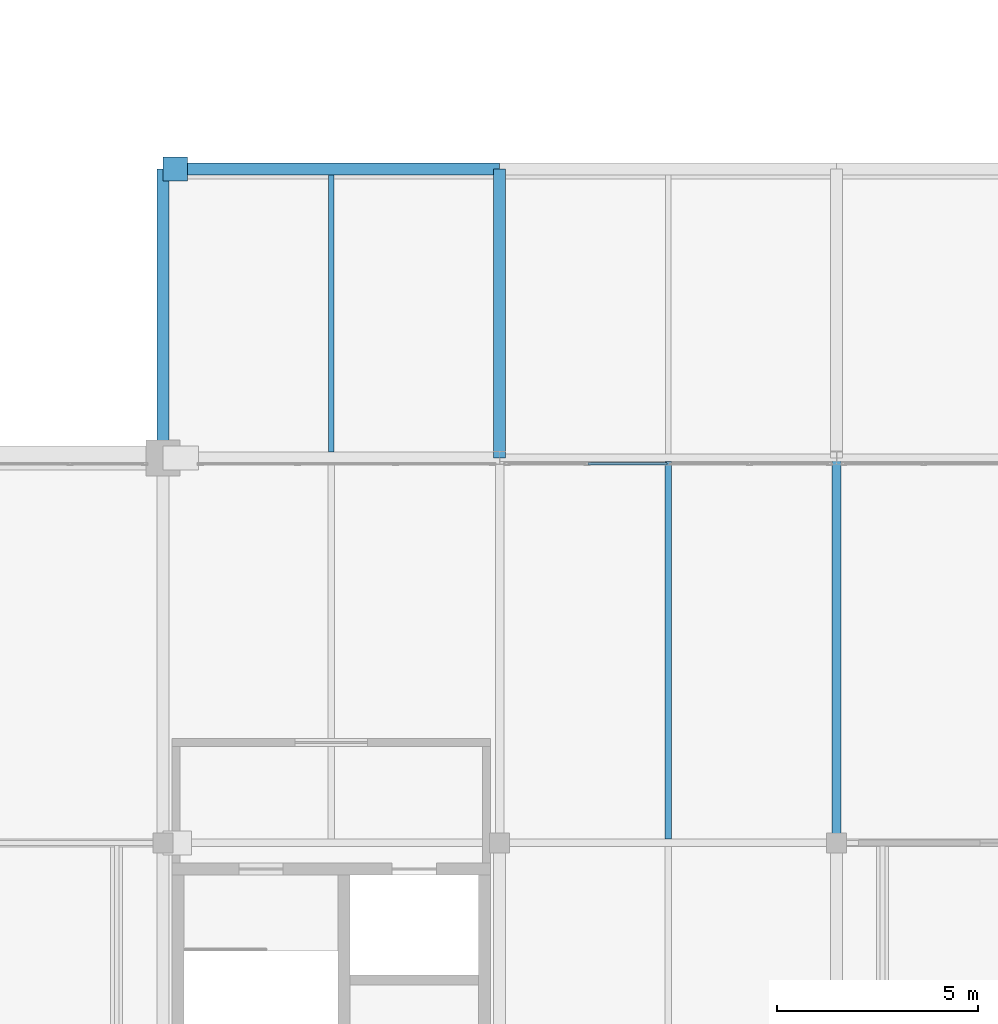
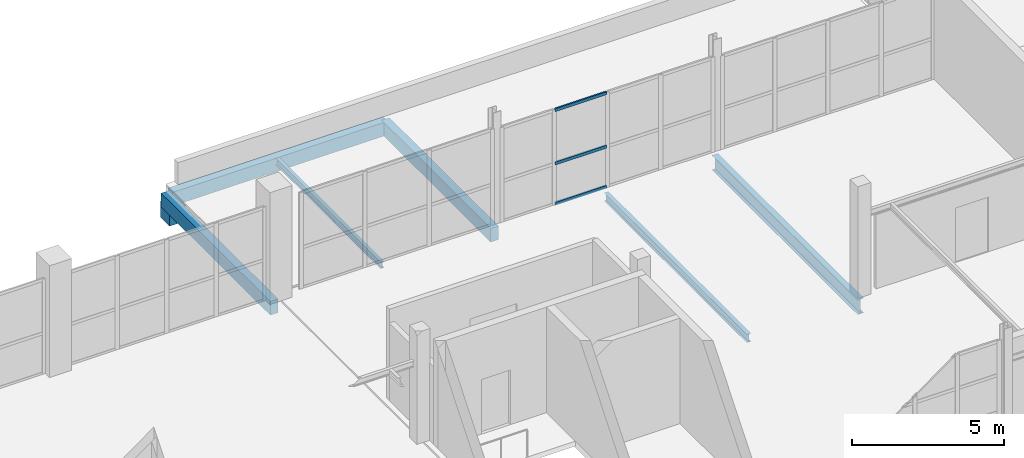
# One storey, part 51 of 103: 7 beams, 3 members, 1 element without a shape of its own.
"""IFC4 building model written with IfcOpenShell, lengths in metres."""

from ifc_helpers import new_model, si_unit, direction, frame, origin, origin_2d, place, context, subcontext, project, spatial, rectangle, hollow_rectangle, i_section, extrude, material, material_profile, profile_set, type_object, element, aggregate, save


model = new_model("IFC4")

# Units and contexts
model_context = context("Model", 3, precision=1e-05, world=origin(), true_north=direction((0.0, 1.0)))
body_context = subcontext(model_context, "Body", "Model", "MODEL_VIEW")
ifc_project = project(units=[si_unit("LENGTHUNIT", "METRE"), si_unit("AREAUNIT", "SQUARE_METRE"), si_unit("VOLUMEUNIT", "CUBIC_METRE"), si_unit("PLANEANGLEUNIT", "RADIAN"), si_unit("MASSUNIT", "GRAM", prefix="KILO")], contexts=[model_context])

# Site, building, storey
site_placement = place(None, origin())
site = spatial("IfcSite", under=ifc_project, at=site_placement, CompositionType="ELEMENT")
building_placement = place(site_placement, origin())
building = spatial("IfcBuilding", under=site, at=building_placement, Name="Veltarok Museum of Natural Sciences", CompositionType="ELEMENT")
storey_placement = place(building_placement, frame((0.0, 0.0, 21.89990234375)))
storey = spatial("IfcBuildingStorey", under=building, at=storey_placement, Name="L04", CompositionType="ELEMENT", Elevation=21.89990234375)

# Curtain wall, members
ifc_material_1 = material(Name="Low-iron triple insulated glass", Category="glass")
curtain_wall_type = type_object("IfcCurtainWallType", Name="Curtain Wall System CW-V5CN4-L04-1-810x383 (CW-V5CN4 L04 810x383cm)", PredefinedType="NOTDEFINED", material=ifc_material_1)
curtain_wall_placement = place(storey_placement, origin())
curtain_wall = element("IfcCurtainWall", 1, at=curtain_wall_placement, inside=storey, type_object=curtain_wall_type, Name="Curtain Wall CW-V5CN4-L04-1-810x383 CW-0197", PredefinedType="NOTDEFINED")
ifc_material_2 = material(Name="Thermally broken anodised aluminium", Category="aluminium")
ifc_material_profile_1 = material_profile(ifc_material_2, hollow_rectangle(XDim=0.06005859375, YDim=0.1201171875, WallThickness=0.0048828125, at=origin_2d()), Name="CW TRANSOM 60x120x5")
ifc_profile_set_1 = profile_set([ifc_material_profile_1], Name="Thermally broken anodised aluminium")
member_type = type_object("IfcMemberType", Name="Curtain Wall Horizontal Transom 60x120x5", PredefinedType="USERDEFINED", material=ifc_profile_set_1)
member_1_placement = place(storey_placement, frame((119.77001953125, 19.050048828125, 0.028076171875), z_axis=(-1.0, 0.0, 0.0), x_axis=(0.0, -1.0, 0.0)))
member_1 = element("IfcMember", 2, at=member_1_placement, type_object=member_type, Name="CW-V5CN4-L04-1-810x383 transom 3.1", ObjectType="TRANSOM", PredefinedType="USERDEFINED", context=body_context, shape_type="SweptSolid", body=[
    extrude(hollow_rectangle(XDim=0.06005859375, YDim=0.1201171875, WallThickness=0.0048828125, at=origin_2d()), origin(), (0.0, 0.0, 1.0), 1.965087890625),
])
member_2_placement = place(storey_placement, frame((119.77001953125, 19.050048828125, 1.648193359375), z_axis=(-1.0, 0.0, 0.0), x_axis=(0.0, -1.0, 0.0)))
member_2 = element("IfcMember", 3, at=member_2_placement, type_object=member_type, Name="CW-V5CN4-L04-1-810x383 transom 3.2", ObjectType="TRANSOM", PredefinedType="USERDEFINED", context=body_context, shape_type="SweptSolid", body=[
    extrude(hollow_rectangle(XDim=0.06005859375, YDim=0.1201171875, WallThickness=0.0048828125, at=origin_2d()), origin(), (0.0, 0.0, 1.0), 1.965087890625),
])
member_3_placement = place(storey_placement, frame((119.77001953125, 19.050048828125, 3.800048828125), z_axis=(-1.0, 0.0, 0.0), x_axis=(0.0, -1.0, 0.0)))
member_3 = element("IfcMember", 4, at=member_3_placement, type_object=member_type, Name="CW-V5CN4-L04-1-810x383 transom 3.3", ObjectType="TRANSOM", PredefinedType="USERDEFINED", context=body_context, shape_type="SweptSolid", body=[
    extrude(hollow_rectangle(XDim=0.06005859375, YDim=0.1201171875, WallThickness=0.0048828125, at=origin_2d()), origin(), (0.0, 0.0, 1.0), 1.965087890625),
])
aggregate(curtain_wall, [member_1, member_2, member_3])

# Beams
ifc_material_3 = material(Name="Precast concrete C40/50", Category="concrete")
ifc_material_profile_2 = material_profile(ifc_material_3, rectangle(XDim=0.300048828125, YDim=0.550048828125, at=origin_2d()), Name="RC 300x550")
ifc_profile_set_2 = profile_set([ifc_material_profile_2], Name="Precast concrete C40/50")
beam_type_1 = type_object("IfcBeamType", Name="East Wing Precast Spandrel RC 300x550", PredefinedType="SPANDREL", material=ifc_profile_set_2)
beam_1_placement = place(storey_placement, frame((107.39990234375, 26.39990234375, -0.52490234375), z_axis=(1.0, 0.0, 0.0), x_axis=(0.0, 1.0, 0.0)))
element("IfcBeam", 5, at=beam_1_placement, inside=storey, type_object=beam_type_1, Name="Beam BM-SP02 L04 13-14/D", PredefinedType="SPANDREL", context=body_context, shape_type="SweptSolid", body=[
    extrude(rectangle(XDim=0.300048828125, YDim=0.550048828125, at=origin_2d()), origin(), (0.0, 0.0, 1.0), 8.2001953125),
])
for number, where, z_axis, x_axis, name in (
    (6, (107.199951171875, 19.199951171875, -0.52490234375), (0.0, 1.0, 0.0), (-1.0, 0.0, 0.0), "Beam BM-SP02 L04 13/C-D"),
    (7, (115.60009765625, 19.199951171875, -0.52490234375), (0.0, 1.0, 0.0), (-1.0, 0.0, 0.0), "Beam BM-SP02 L04 14/C-D"),
):
    element("IfcBeam", number, at=place(storey_placement, frame(where, z_axis=z_axis, x_axis=x_axis)), inside=storey, type_object=beam_type_1, Name=name, PredefinedType="SPANDREL", context=body_context, shape_type="SweptSolid", body=[
        extrude(rectangle(XDim=0.300048828125, YDim=0.550048828125, at=origin_2d()), origin(), (0.0, 0.0, 1.0), 7.199951171875),
    ])
ifc_material_4 = material(Name="Steel S355J2", Category="steel")
ifc_material_profile_3 = material_profile(ifc_material_4, i_section(OverallWidth=0.159912109375, OverallDepth=0.330078125, WebThickness=0.007568359375, FlangeThickness=0.011474609375, FilletRadius=0.01806640625, at=origin_2d()), Name="IPE 330")
ifc_profile_set_3 = profile_set([ifc_material_profile_3], Name="Steel S355J2")
beam_type_2 = type_object("IfcBeamType", Name="Medium-Bay Composite Joist IPE 330", PredefinedType="JOIST", material=ifc_profile_set_3)
beam_2_placement = place(storey_placement, frame((119.800048828125, 9.693115234375, -0.414794921875), z_axis=(0.0, 1.0, 0.0), x_axis=(-1.0, 0.0, 0.0)))
element("IfcBeam", 8, at=beam_2_placement, inside=storey, type_object=beam_type_2, Name="Secondary Joist BM-J02 L04 14-15/B-C.1", PredefinedType="JOIST", context=body_context, shape_type="SweptSolid", body=[
    extrude(i_section(OverallWidth=0.159912109375, OverallDepth=0.330078125, WebThickness=0.007568359375, FlangeThickness=0.011474609375, FilletRadius=0.01806640625, at=origin_2d()), origin(), (0.0, 0.0, 1.0), 9.413818359375),
])
ifc_material_5 = material(Name="Concrete C40/50", Category="concrete")
ifc_material_profile_4 = material_profile(ifc_material_5, rectangle(XDim=0.60009765625, YDim=0.64990234375, at=origin_2d()), Name="RC 600x650")
ifc_profile_set_4 = profile_set([ifc_material_profile_4], Name="Concrete C40/50")
beam_type_3 = type_object("IfcBeamType", Name="Movement Joint Sliding Corbel RC 600x650", PredefinedType="BEAM", material=ifc_profile_set_4)
beam_3_placement = place(storey_placement, frame((107.199951171875, 26.39990234375, -1.125), z_axis=(1.0, 0.0, 0.0), x_axis=(0.0, 1.0, 0.0)))
element("IfcBeam", 9, at=beam_3_placement, inside=storey, type_object=beam_type_3, Name="Movement Joint Corbel L04 13/D", PredefinedType="BEAM", context=body_context, shape_type="SweptSolid", body=[
    extrude(rectangle(XDim=0.60009765625, YDim=0.64990234375, at=origin_2d()), origin(), (0.0, 0.0, 1.0), 0.610107421875),
])
ifc_material_profile_5 = material_profile(ifc_material_4, i_section(OverallWidth=0.219970703125, OverallDepth=0.60009765625, WebThickness=0.011962890625, FlangeThickness=0.01904296875, FilletRadius=0.02392578125, at=origin_2d()), Name="IPE 600")
ifc_profile_set_5 = profile_set([ifc_material_profile_5], Name="Steel S355J2")
beam_type_4 = type_object("IfcBeamType", Name="Primary Museum Girder IPE 600", PredefinedType="BEAM", material=ifc_profile_set_5)
beam_4_placement = place(storey_placement, frame((124.0, 9.60009765625, -0.5498046875), z_axis=(0.0, 1.0, 0.0), x_axis=(-1.0, 0.0, 0.0)))
element("IfcBeam", 10, at=beam_4_placement, inside=storey, type_object=beam_type_4, Name="Beam BM-G02 L04 15/B-C", PredefinedType="BEAM", context=body_context, shape_type="SweptSolid", body=[
    extrude(i_section(OverallWidth=0.219970703125, OverallDepth=0.60009765625, WebThickness=0.011962890625, FlangeThickness=0.01904296875, FilletRadius=0.02392578125, at=origin_2d()), origin(), (0.0, 0.0, 1.0), 9.599853515625),
])
ifc_material_profile_6 = material_profile(ifc_material_4, i_section(OverallWidth=0.135009765625, OverallDepth=0.27001953125, WebThickness=0.006591796875, FlangeThickness=0.01025390625, FilletRadius=0.014892578125, at=origin_2d()), Name="IPE 270")
ifc_profile_set_6 = profile_set([ifc_material_profile_6], Name="Steel S355J2")
beam_type_5 = type_object("IfcBeamType", Name="Short-Bay Composite Joist IPE 270", PredefinedType="JOIST", material=ifc_profile_set_6)
beam_5_placement = place(storey_placement, frame((111.39990234375, 19.347900390625, -0.385009765625), z_axis=(0.0, 1.0, 0.0), x_axis=(-1.0, 0.0, 0.0)))
element("IfcBeam", 11, at=beam_5_placement, inside=storey, type_object=beam_type_5, Name="Secondary Joist BM-J04 L04 13-14/C-D.1", PredefinedType="JOIST", context=body_context, shape_type="SweptSolid", body=[
    extrude(i_section(OverallWidth=0.135009765625, OverallDepth=0.27001953125, WebThickness=0.006591796875, FlangeThickness=0.01025390625, FilletRadius=0.014892578125, at=origin_2d()), origin(), (0.0, 0.0, 1.0), 6.904052734375),
])

save(model, "model.ifc")
